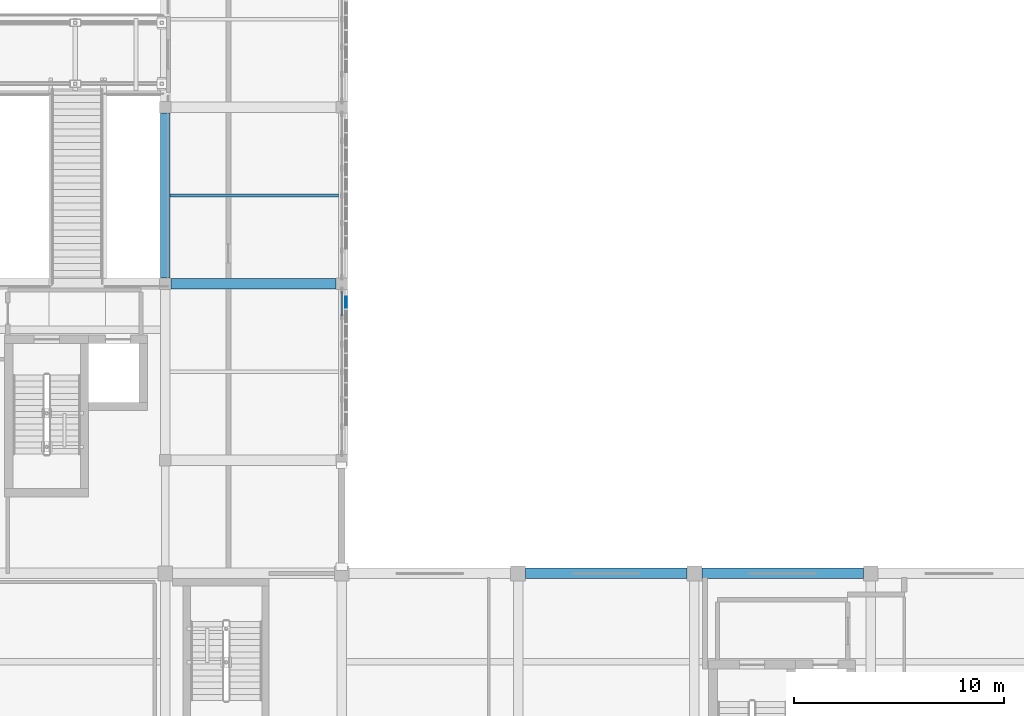
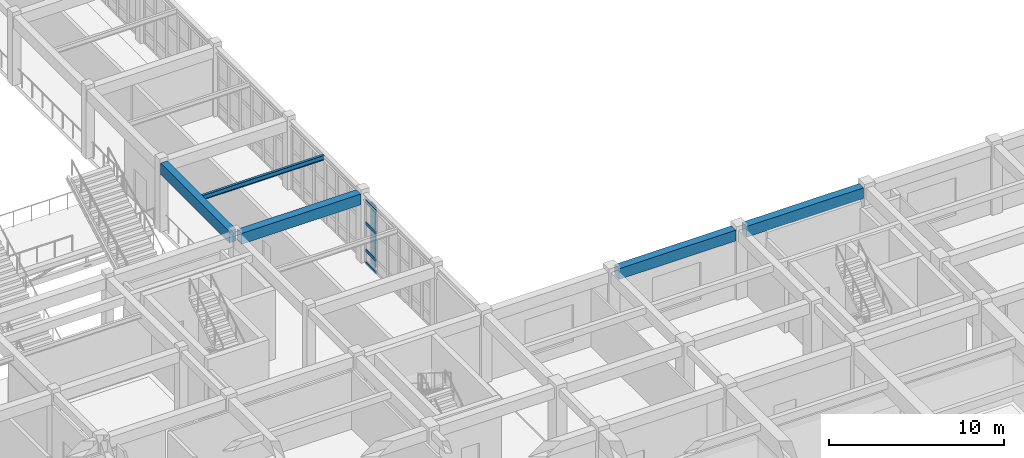
# One storey, part 21 of 106: 5 beams, 5 members, 1 element without a shape of its own.
"""IFC4 building model written with IfcOpenShell, lengths in metres."""

import ifcopenshell
import ifcopenshell.guid

model = None  # the IFC model being written
_history = None  # IfcOwnerHistory: only IFC2X3 demands one
_inside = {}  # id of a spatial element -> (the spatial element, [elements in it])
_under = {}  # id of a project, library or spatial element -> (it, [spatial elements below it])
_declared = {}  # id of a project -> (the project, [libraries it declares])
_typed = {}  # id of a type object -> (the type object, [elements of that type])
_made_of = {}  # id of a material, layer set ... -> (it, [elements and type objects made of it])


def new_model(schema):
    """Start an empty IFC model of exactly this schema.

    Asked for "IFC4X3", IfcOpenShell would pick the latest addendum, in which some entities
    have other attributes; the version numbers below select the first issue.
    IFC2X3 requires an IfcOwnerHistory on every rooted entity: one is made here for all.
    """
    global model, _history
    if schema == "IFC4X3":
        model = ifcopenshell.file(schema_version=(4, 3, 0, 0))
    else:
        model = ifcopenshell.file(schema=schema)
    _inside.clear()
    _under.clear()
    _declared.clear()
    _typed.clear()
    _made_of.clear()
    _history = None
    if model.schema == "IFC2X3":
        org = make("IfcOrganization", Name="unknown")
        user = make(
            "IfcPersonAndOrganization",
            ThePerson=make("IfcPerson", FamilyName="unknown"),
            TheOrganization=org,
        )
        app = make(
            "IfcApplication",
            ApplicationDeveloper=org,
            Version="unknown",
            ApplicationFullName="unknown",
            ApplicationIdentifier="unknown",
        )
        _history = make(
            "IfcOwnerHistory",
            OwningUser=user,
            OwningApplication=app,
            ChangeAction="ADDED",
            CreationDate=0,
        )
    return model


def make(cls, **values):
    """One entity of the class cls with the attributes given. An attribute that is None is left unset."""
    return model.create_entity(
        cls, **{name: value for name, value in values.items() if value is not None}
    )


def rooted(cls, **values):
    """An entity with a GlobalId (a new one), such as an element, a storey or a relation."""
    return make(cls, GlobalId=ifcopenshell.guid.new(), OwnerHistory=_history, **values)


def si_unit(unit_type, name, prefix=None):
    """IfcSIUnit, for example si_unit("LENGTHUNIT", "METRE", prefix="MILLI")."""
    return make("IfcSIUnit", UnitType=unit_type, Prefix=prefix, Name=name)


def assignment(units):
    """IfcUnitAssignment: the units of a project."""
    return None if units is None else make("IfcUnitAssignment", Units=units)


def point(xyz):
    """IfcCartesianPoint."""
    return None if xyz is None else make("IfcCartesianPoint", Coordinates=xyz)


def direction(xyz):
    """IfcDirection."""
    return None if xyz is None else make("IfcDirection", DirectionRatios=xyz)


def frame(location, z_axis=None, x_axis=None):
    """IfcAxis2Placement3D, a coordinate frame: its origin and axes. An axis left out is left unset."""
    return make(
        "IfcAxis2Placement3D",
        Location=point(location),
        Axis=direction(z_axis),
        RefDirection=direction(x_axis),
    )


def frame_2d(location, x_axis=None):
    """IfcAxis2Placement2D, a coordinate frame in the plane: its origin and x axis."""
    return make(
        "IfcAxis2Placement2D", Location=point(location), RefDirection=direction(x_axis)
    )


def origin():
    """The frame at (0, 0, 0) with its axes left unset."""
    return frame((0.0, 0.0, 0.0))


def origin_2d():
    """The frame at (0, 0) in the plane with its x axis left unset."""
    return frame_2d((0.0, 0.0))


def place(relative_to, where):
    """IfcLocalPlacement: puts the frame where relative to a parent placement (None: the world)."""
    return make(
        "IfcLocalPlacement", PlacementRelTo=relative_to, RelativePlacement=where
    )


def context(
    kind, dimensions, precision=None, world=None, true_north=None, identifier=None
):
    """IfcGeometricRepresentationContext, for example the 3D "Model" context."""
    return make(
        "IfcGeometricRepresentationContext",
        ContextIdentifier=identifier,
        ContextType=kind,
        CoordinateSpaceDimension=dimensions,
        Precision=precision,
        WorldCoordinateSystem=world,
        TrueNorth=true_north,
    )


def subcontext(parent, identifier, kind, view, scale=None):
    """IfcGeometricRepresentationSubContext, for example "Body" below "Model"."""
    return make(
        "IfcGeometricRepresentationSubContext",
        ContextIdentifier=identifier,
        ContextType=kind,
        ParentContext=parent,
        TargetScale=scale,
        TargetView=view,
    )


def project(units=None, contexts=None):
    """IfcProject with its units and contexts."""
    return rooted(
        "IfcProject",
        Name="project",
        RepresentationContexts=contexts,
        UnitsInContext=assignment(units),
    )


def spatial(cls, under=None, at=None, **own):
    """A site, building, storey or space (cls), placed at a placement, below another one or the project."""
    s = rooted(cls, ObjectPlacement=at, **own)
    if under is not None:
        _under.setdefault(under.id(), (under, []))[1].append(s)
    return s


def profile(cls, at=None, kind="AREA", **sizes):
    """A parametric profile (cls). Its sizes go by their IFC names, for example OverallWidth=200.0."""
    return make(cls, ProfileType=kind, Position=at, **sizes)


def rectangle(**sizes):
    """IfcRectangleProfileDef."""
    return profile("IfcRectangleProfileDef", **sizes)


def hollow_rectangle(**sizes):
    """IfcRectangleHollowProfileDef."""
    return profile("IfcRectangleHollowProfileDef", **sizes)


def i_section(**sizes):
    """IfcIShapeProfileDef."""
    return profile("IfcIShapeProfileDef", **sizes)


def extrude(swept, where, along, depth):
    """IfcExtrudedAreaSolid: the profile swept, set in the frame where, extruded along a direction by depth."""
    return make(
        "IfcExtrudedAreaSolid",
        SweptArea=swept,
        Position=where,
        ExtrudedDirection=direction(along),
        Depth=depth,
    )


def shape(context_of_items, identifier, shape_type, items):
    """IfcShapeRepresentation: the items that make up one representation, for example the "Body"."""
    return make(
        "IfcShapeRepresentation",
        ContextOfItems=context_of_items,
        RepresentationIdentifier=identifier,
        RepresentationType=shape_type,
        Items=items,
    )


def material(Name=None, Category=None):
    """IfcMaterial."""
    return make("IfcMaterial", Name=Name, Category=Category)


def layer(
    of_material, thickness, ventilated=None, Name=None, Category=None, Priority=None
):
    """IfcMaterialLayer: one layer of a wall or slab, of a material (None: an air gap)."""
    return make(
        "IfcMaterialLayer",
        Material=of_material,
        LayerThickness=thickness,
        IsVentilated=ventilated,
        Name=Name,
        Category=Category,
        Priority=Priority,
    )


def layer_set(layers, Name=None):
    """IfcMaterialLayerSet."""
    return make("IfcMaterialLayerSet", MaterialLayers=layers, LayerSetName=Name)


def material_profile(
    of_material, cross_section, Name=None, Category=None, Priority=None
):
    """IfcMaterialProfile: a cross section and its material."""
    return make(
        "IfcMaterialProfile",
        Name=Name,
        Material=of_material,
        Profile=cross_section,
        Priority=Priority,
        Category=Category,
    )


def profile_set(profiles, Name=None, composite=None):
    """IfcMaterialProfileSet."""
    return make(
        "IfcMaterialProfileSet",
        Name=Name,
        MaterialProfiles=profiles,
        CompositeProfile=composite,
    )


def made_of(thing, what):
    """Note that an element or type object is made of a material, layer set ...; save() writes the relation."""
    if what is not None:
        _made_of.setdefault(what.id(), (what, []))[1].append(thing)
    return thing


def type_object(cls, material=None, **own):
    """A type object (cls), such as IfcWallType, which elements share."""
    return made_of(rooted(cls, **own), material)


def element(
    cls,
    number,
    at=None,
    inside=None,
    cuts=None,
    type_object=None,
    material=None,
    context=None,
    identifier="Body",
    shape_type=None,
    held_by="IfcProductDefinitionShape",
    body=None,
    shapes=None,
    **own,
):
    """One element of the class cls, such as IfcWall. Its Tag is "e" and its number.

    at: its placement. inside: the storey or other place that contains it. cuts: it is an
    opening in that element (IfcRelVoidsElement). A single representation is given by context,
    identifier, shape_type and body (its items); several are given by shapes. held_by: the class
    of the entity that holds the representations. save() writes the other relations.
    """
    e = rooted(cls, Tag="e%d" % number, ObjectPlacement=at, **own)
    if body is not None:
        shapes = [shape(context, identifier, shape_type, body)]
    if shapes is not None:
        e.Representation = make(held_by, Representations=shapes)
    if inside is not None:
        _inside.setdefault(inside.id(), (inside, []))[1].append(e)
    if cuts is not None:
        rooted(
            "IfcRelVoidsElement", RelatingBuildingElement=cuts, RelatedOpeningElement=e
        )
    if type_object is not None:
        _typed.setdefault(type_object.id(), (type_object, []))[1].append(e)
    return made_of(e, material)


def aggregate(whole, parts):
    """IfcRelAggregates: a whole, such as a stair, and the parts it consists of."""
    return rooted("IfcRelAggregates", RelatingObject=whole, RelatedObjects=parts)


def save(model, path):
    """Write the relations noted so far, then the file.

    IfcRelAggregates (storeys below a building ...), IfcRelContainedInSpatialStructure (elements
    in a storey), IfcRelDefinesByType, IfcRelAssociatesMaterial and IfcRelDeclares: one each for
    every whole, place, type object, material and project.
    """
    for whole, parts in _under.values():
        aggregate(whole, parts)
    for where, things in _inside.values():
        rooted(
            "IfcRelContainedInSpatialStructure",
            RelatedElements=things,
            RelatingStructure=where,
        )
    for kind, things in _typed.values():
        rooted("IfcRelDefinesByType", RelatedObjects=things, RelatingType=kind)
    for what, things in _made_of.values():
        rooted("IfcRelAssociatesMaterial", RelatedObjects=things, RelatingMaterial=what)
    for by, libraries in _declared.values():
        rooted("IfcRelDeclares", RelatingContext=by, RelatedDefinitions=libraries)
    model.write(path)


model = new_model("IFC4")

# Units and contexts
model_context = context("Model", 3, precision=1e-05, world=origin(), true_north=direction((0.0, 1.0)))
body_context = subcontext(model_context, "Body", "Model", "MODEL_VIEW")
ifc_project = project(units=[si_unit("LENGTHUNIT", "METRE"), si_unit("AREAUNIT", "SQUARE_METRE"), si_unit("VOLUMEUNIT", "CUBIC_METRE"), si_unit("PLANEANGLEUNIT", "RADIAN"), si_unit("MASSUNIT", "GRAM", prefix="KILO")], contexts=[model_context])

# Site, building, storey
site_placement = place(None, origin())
site = spatial("IfcSite", under=ifc_project, at=site_placement, CompositionType="ELEMENT")
building_placement = place(site_placement, origin())
building = spatial("IfcBuilding", under=site, at=building_placement, Name="Krzemoval Escarpment Law Courts", CompositionType="ELEMENT")
storey_placement = place(building_placement, frame((0.0, 0.0, 5.10009765625)))
storey = spatial("IfcBuildingStorey", under=building, at=storey_placement, Name="L01", CompositionType="ELEMENT", Elevation=5.10009765625)

# Beams
ifc_material_1 = material(Name="Concrete C40/50", Category="concrete")
ifc_material_profile_1 = material_profile(ifc_material_1, rectangle(XDim=0.449951171875, YDim=0.800048828125, at=origin_2d()), Name="RCB 450x800")
ifc_profile_set_1 = profile_set([ifc_material_profile_1], Name="Concrete C40/50")
beam_type_1 = type_object("IfcBeamType", Name="BM-RC-450x800", PredefinedType="BEAM", material=ifc_profile_set_1)
beam_1_placement = place(storey_placement, frame((33.60009765625, 49.47509765625, 4.419921875), z_axis=(0.0, 1.0, 0.0), x_axis=(-1.0, 0.0, 0.0)))
element("IfcBeam", 1, at=beam_1_placement, inside=storey, type_object=beam_type_1, Name="Beam FG-L01-1426", PredefinedType="BEAM", context=body_context, shape_type="SweptSolid", body=[
    extrude(rectangle(XDim=0.449951171875, YDim=0.800048828125, at=origin_2d()), origin(), (0.0, 0.0, 1.0), 7.849853515625),
])
ifc_material_2 = material(Name="Concrete C40/50", Category="concrete")
ifc_material_profile_2 = material_profile(ifc_material_2, rectangle(XDim=0.5, YDim=0.75, at=origin_2d()), Name="RCB 500x750")
ifc_profile_set_2 = profile_set([ifc_material_profile_2], Name="Concrete C40/50")
beam_type_2 = type_object("IfcBeamType", Name="BM-RC-500x750", PredefinedType="BEAM", material=ifc_profile_set_2)
beam_2_placement = place(storey_placement, frame((50.75, 35.39990234375, 4.44482421875), z_axis=(1.0, 0.0, 0.0), x_axis=(0.0, 1.0, 0.0)))
element("IfcBeam", 2, at=beam_2_placement, inside=storey, type_object=beam_type_2, Name="Beam FG-L01-1221", PredefinedType="BEAM", context=body_context, shape_type="SweptSolid", body=[
    extrude(rectangle(XDim=0.5, YDim=0.75, at=origin_2d()), origin(), (0.0, 0.0, 1.0), 7.699951171875),
])
beam_3_placement = place(storey_placement, frame((59.14990234375, 35.39990234375, 4.44482421875), z_axis=(1.0, 0.0, 0.0), x_axis=(0.0, 1.0, 0.0)))
element("IfcBeam", 3, at=beam_3_placement, inside=storey, type_object=beam_type_2, Name="Beam FG-L01-1222", PredefinedType="BEAM", context=body_context, shape_type="SweptSolid", body=[
    extrude(rectangle(XDim=0.5, YDim=0.75, at=origin_2d()), origin(), (0.0, 0.0, 1.0), 7.7001953125),
])
beam_4_placement = place(storey_placement, frame((33.875, 49.199951171875, 4.44482421875), z_axis=(1.0, 0.0, 0.0), x_axis=(0.0, 1.0, 0.0)))
element("IfcBeam", 4, at=beam_4_placement, inside=storey, type_object=beam_type_2, Name="Beam FG-L01-1248", PredefinedType="BEAM", context=body_context, shape_type="SweptSolid", body=[
    extrude(rectangle(XDim=0.5, YDim=0.75, at=origin_2d()), origin(), (0.0, 0.0, 1.0), 7.85009765625),
])

# Curtain wall, members
ifc_material_3 = material(Name="Aluminium 6063-T6", Category="aluminium")
ifc_layer = layer(ifc_material_3, 0.280029296875)
ifc_layer_set = layer_set([ifc_layer], Name="Aluminium 6063-T6")
curtain_wall_type = type_object("IfcCurtainWallType", Name="CW-HALL-5100", PredefinedType="USERDEFINED", material=ifc_layer_set)
curtain_wall_placement = place(storey_placement, origin())
curtain_wall = element("IfcCurtainWall", 5, at=curtain_wall_placement, inside=storey, type_object=curtain_wall_type, Name="Unitised Curtain Wall FCW-L01-063", ObjectType="UNITISED_CURTAIN_WALL", PredefinedType="USERDEFINED")
ifc_material_4 = material(Name="Aluminium 6063-T6", Category="aluminium")
ifc_material_profile_3 = material_profile(ifc_material_4, hollow_rectangle(XDim=0.0849609375, YDim=0.2099609375, WallThickness=0.005615234375, at=origin_2d()), Name="ALU T85x210")
ifc_profile_set_3 = profile_set([ifc_material_profile_3], Name="Aluminium 6063-T6")
member_type_1 = type_object("IfcMemberType", Name="CWT-85x210", PredefinedType="USERDEFINED", material=ifc_profile_set_3)
member_1_placement = place(storey_placement, frame((42.0, 48.840087890625, 0.04248046875), z_axis=(0.0, -1.0, 0.0), x_axis=(1.0, 0.0, 0.0)))
member_1 = element("IfcMember", 6, at=member_1_placement, type_object=member_type_1, Name="FCW-L01-063 transom 1.1", ObjectType="TRANSOM", PredefinedType="USERDEFINED", context=body_context, shape_type="SweptSolid", body=[
    extrude(hollow_rectangle(XDim=0.0849609375, YDim=0.2099609375, WallThickness=0.005615234375, at=origin_2d()), origin(), (0.0, 0.0, 1.0), 1.180908203125),
])
member_2_placement = place(storey_placement, frame((42.0, 48.840087890625, 0.89990234375), z_axis=(0.0, -1.0, 0.0), x_axis=(1.0, 0.0, 0.0)))
member_2 = element("IfcMember", 7, at=member_2_placement, type_object=member_type_1, Name="FCW-L01-063 transom 1.2", ObjectType="TRANSOM", PredefinedType="USERDEFINED", context=body_context, shape_type="SweptSolid", body=[
    extrude(hollow_rectangle(XDim=0.0849609375, YDim=0.2099609375, WallThickness=0.005615234375, at=origin_2d()), origin(), (0.0, 0.0, 1.0), 1.180908203125),
])
member_3_placement = place(storey_placement, frame((42.0, 48.840087890625, 2.7998046875), z_axis=(0.0, -1.0, 0.0), x_axis=(1.0, 0.0, 0.0)))
member_3 = element("IfcMember", 8, at=member_3_placement, type_object=member_type_1, Name="FCW-L01-063 transom 1.3", ObjectType="TRANSOM", PredefinedType="USERDEFINED", context=body_context, shape_type="SweptSolid", body=[
    extrude(hollow_rectangle(XDim=0.0849609375, YDim=0.2099609375, WallThickness=0.005615234375, at=origin_2d()), origin(), (0.0, 0.0, 1.0), 1.180908203125),
])
member_4_placement = place(storey_placement, frame((42.0, 48.840087890625, 4.327392578125), z_axis=(0.0, -1.0, 0.0), x_axis=(1.0, 0.0, 0.0)))
member_4 = element("IfcMember", 9, at=member_4_placement, type_object=member_type_1, Name="FCW-L01-063 transom 1.4", ObjectType="TRANSOM", PredefinedType="USERDEFINED", context=body_context, shape_type="SweptSolid", body=[
    extrude(hollow_rectangle(XDim=0.0849609375, YDim=0.2099609375, WallThickness=0.005615234375, at=origin_2d()), origin(), (0.0, 0.0, 1.0), 1.180908203125),
])
aggregate(curtain_wall, [member_1, member_2, member_3, member_4])

# Beam
ifc_material_5 = material(Name="Steel S355", Category="steel")
ifc_material_profile_4 = material_profile(ifc_material_5, i_section(OverallWidth=0.159912109375, OverallDepth=0.330078125, WebThickness=0.007568359375, FlangeThickness=0.011474609375, at=origin_2d()), Name="IPE 330")
ifc_profile_set_4 = profile_set([ifc_material_profile_4], Name="Steel S355")
beam_type_3 = type_object("IfcBeamType", Name="JST-S355-IPE330", PredefinedType="JOIST", material=ifc_profile_set_4)
beam_5_placement = place(storey_placement, frame((33.824951171875, 53.39990234375, 4.65478515625), z_axis=(1.0, 0.0, 0.0), x_axis=(0.0, 1.0, 0.0)))
element("IfcBeam", 10, at=beam_5_placement, inside=storey, type_object=beam_type_3, Name="Secondary Joist FJ-L01-1626", PredefinedType="JOIST", context=body_context, shape_type="SweptSolid", body=[
    extrude(i_section(OverallWidth=0.159912109375, OverallDepth=0.330078125, WebThickness=0.007568359375, FlangeThickness=0.011474609375, at=origin_2d()), origin(), (0.0, 0.0, 1.0), 8.025146484375),
])

# Member
ifc_material_6 = material(Name="Anodised Aluminium Alloy 6063-T6", Category="aluminium")
ifc_material_profile_5 = material_profile(ifc_material_6, hollow_rectangle(XDim=0.06494140625, YDim=0.52001953125, WallThickness=0.00439453125, at=origin_2d()), Name="ALU LVR 65x520")
ifc_profile_set_5 = profile_set([ifc_material_profile_5], Name="Anodised Aluminium Alloy 6063-T6")
member_type_2 = type_object("IfcMemberType", Name="LVR-ALU-520", PredefinedType="USERDEFINED", material=ifc_profile_set_5)
member_5_placement = place(storey_placement, frame((42.199951171875, 48.324951171875, 0.059814453125), z_axis=(0.0, 0.0, 1.0), x_axis=(1.0, 0.0, 0.0)))
element("IfcMember", 11, at=member_5_placement, inside=storey, type_object=member_type_2, Name="Sunshade Louvre Fin FLV-L01-0358", ObjectType="SUNSHADE_LOUVRE", PredefinedType="USERDEFINED", context=body_context, shape_type="SweptSolid", body=[
    extrude(hollow_rectangle(XDim=0.06494140625, YDim=0.52001953125, WallThickness=0.00439453125, at=origin_2d()), origin(), (0.0, 0.0, 1.0), 4.31005859375),
])

save(model, "model.ifc")
